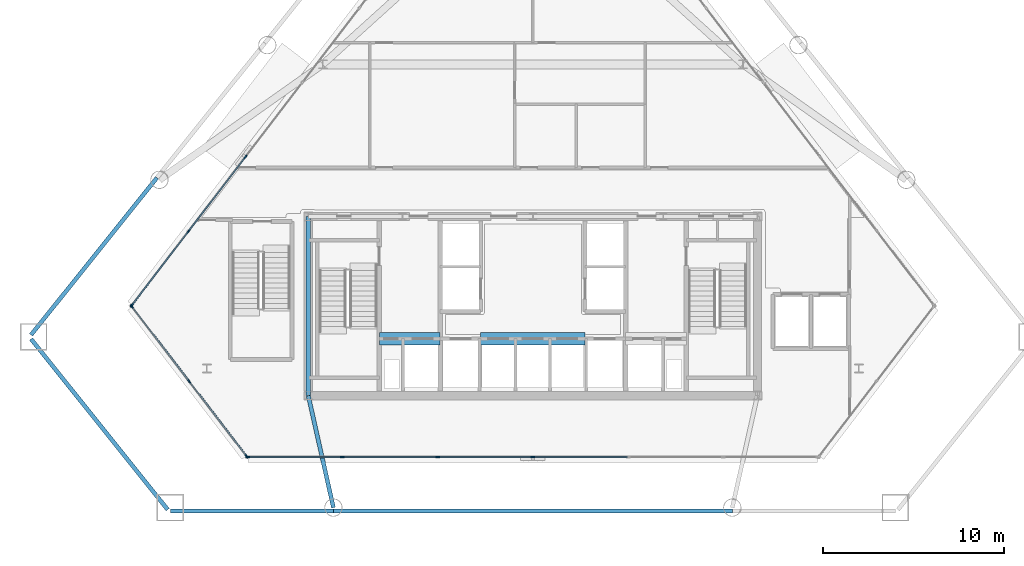
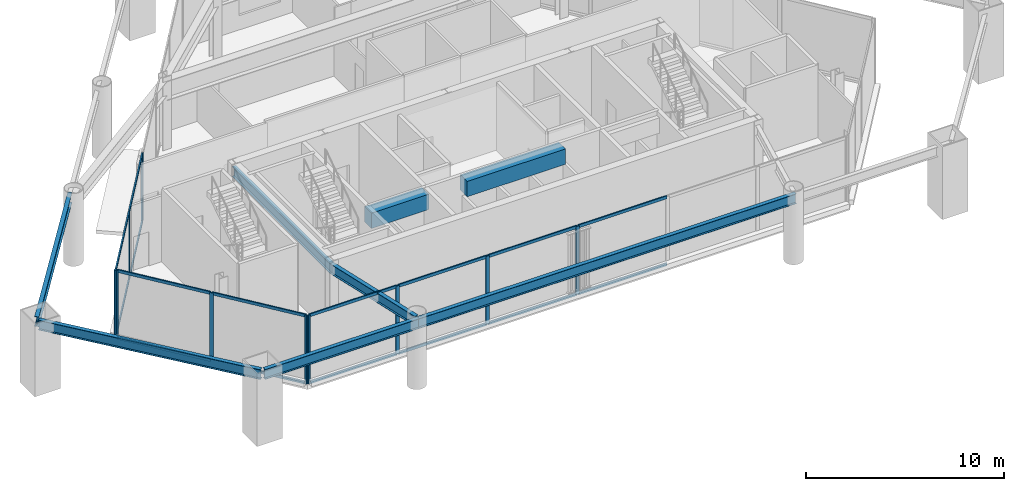
# One storey, part 3 of 11: 26 members, 8 beams, 3 elements without a shape of their own.
"""IFC4 building model written with IfcOpenShell, lengths in metres."""

from ifc_helpers import new_model, si_unit, direction, frame, origin, origin_2d, place, context, subcontext, project, spatial, rectangle, i_section, extrude, material, layer, layer_set, material_profile, profile_set, type_object, element, aggregate, save


model = new_model("IFC4")

# Units and contexts
model_context = context("Model", 3, precision=1e-05, world=origin(), true_north=direction((0.0, 1.0)))
body_context = subcontext(model_context, "Body", "Model", "MODEL_VIEW")
ifc_project = project(units=[si_unit("LENGTHUNIT", "METRE"), si_unit("AREAUNIT", "SQUARE_METRE"), si_unit("VOLUMEUNIT", "CUBIC_METRE"), si_unit("PLANEANGLEUNIT", "RADIAN"), si_unit("MASSUNIT", "GRAM", prefix="KILO")], contexts=[model_context])

# Site, building, storey
site_placement = place(None, origin())
site = spatial("IfcSite", under=ifc_project, at=site_placement, CompositionType="ELEMENT")
building_placement = place(site_placement, origin())
building = spatial("IfcBuilding", under=site, at=building_placement, Name="Talgorran Terracotta Tower", CompositionType="ELEMENT")
storey_placement = place(building_placement, frame((0.0, 0.0, 5.39990234375)))
storey = spatial("IfcBuildingStorey", under=building, at=storey_placement, Name="L01", CompositionType="ELEMENT", Elevation=5.39990234375)

# Beams
ifc_material_1 = material(Name="Concrete C65/80", Category="concrete")
ifc_material_profile_1 = material_profile(ifc_material_1, rectangle(XDim=0.699951171875, YDim=0.949951171875, at=origin_2d()), Name="RCCB700X950")
ifc_profile_set_1 = profile_set([ifc_material_profile_1], Name="Concrete C65/80")
beam_type_1 = type_object("IfcBeamType", Name="BM_CB_700X950", PredefinedType="LINTEL", material=ifc_profile_set_1)
beam_1_placement = place(storey_placement, frame((-8.47998046875, -10.949951171875, 3.7451171875), z_axis=(1.0, 0.0, 0.0), x_axis=(0.0, 1.0, 0.0)))
element("IfcBeam", 1, at=beam_1_placement, inside=storey, type_object=beam_type_1, Name="L01 Core Shear-Wall Coupling Beam CB1", PredefinedType="LINTEL", context=body_context, shape_type="SweptSolid", body=[
    extrude(rectangle(XDim=0.699951171875, YDim=0.949951171875, at=origin_2d()), origin(), (0.0, 0.0, 1.0), 3.35986328125),
])
beam_2_placement = place(storey_placement, frame((-2.8798828125, -10.949951171875, 3.7451171875), z_axis=(1.0, 0.0, 0.0), x_axis=(0.0, 1.0, 0.0)))
element("IfcBeam", 2, at=beam_2_placement, inside=storey, type_object=beam_type_1, Name="L01 Core Shear-Wall Coupling Beam CB2", PredefinedType="LINTEL", context=body_context, shape_type="SweptSolid", body=[
    extrude(rectangle(XDim=0.699951171875, YDim=0.949951171875, at=origin_2d()), origin(), (0.0, 0.0, 1.0), 5.759765625),
])
ifc_material_2 = material(Name="Steel S355 (300PLUS)", Category="steel")
ifc_material_profile_2 = material_profile(ifc_material_2, i_section(OverallWidth=0.22900390625, OverallDepth=0.611572265625, WebThickness=0.011962890625, FlangeThickness=0.01953125, at=origin_2d()), Name="610UB125")
ifc_profile_set_2 = profile_set([ifc_material_profile_2], Name="Steel S355 (300PLUS)")
beam_type_2 = type_object("IfcBeamType", Name="BM_SP_610UB125", PredefinedType="SPANDREL", material=ifc_profile_set_2)
beam_3_placement = place(storey_placement, frame((-27.710205078125, -10.968505859375, 3.914306640625), z_axis=(0.625116627788, -0.780531358539, 0.0), x_axis=(0.780531358539, 0.625116627788, 0.0)))
element("IfcBeam", 3, at=beam_3_placement, inside=storey, type_object=beam_type_2, Name="L01 Perimeter Spandrel Beam MC1-MC2", PredefinedType="SPANDREL", context=body_context, shape_type="SweptSolid", body=[
    extrude(i_section(OverallWidth=0.22900390625, OverallDepth=0.611572265625, WebThickness=0.011962890625, FlangeThickness=0.01953125, at=origin_2d()), origin(), (0.0, 0.0, 1.0), 12.073974609375),
])
beam_4_placement = place(storey_placement, frame((-20.022216796875, -20.4599609375, 3.914306640625), z_axis=(1.0, 0.0, 0.0), x_axis=(0.0, 1.0, 0.0)))
element("IfcBeam", 4, at=beam_4_placement, inside=storey, type_object=beam_type_2, Name="L01 Perimeter Spandrel Beam MC2-FC1", PredefinedType="SPANDREL", context=body_context, shape_type="SweptSolid", body=[
    extrude(i_section(OverallWidth=0.22900390625, OverallDepth=0.611572265625, WebThickness=0.011962890625, FlangeThickness=0.01953125, at=origin_2d()), origin(), (0.0, 0.0, 1.0), 9.010009765625),
])
beam_5_placement = place(storey_placement, frame((-11.01220703125, -20.4599609375, 3.914306640625), z_axis=(1.0, 0.0, 0.0), x_axis=(0.0, 1.0, 0.0)))
element("IfcBeam", 5, at=beam_5_placement, inside=storey, type_object=beam_type_2, Name="L01 Perimeter Spandrel Beam FC1-FC2", PredefinedType="SPANDREL", context=body_context, shape_type="SweptSolid", body=[
    extrude(i_section(OverallWidth=0.22900390625, OverallDepth=0.611572265625, WebThickness=0.011962890625, FlangeThickness=0.01953125, at=origin_2d()), origin(), (0.0, 0.0, 1.0), 22.0244140625),
])
beam_6_placement = place(storey_placement, frame((-20.7607421875, -2.06640625, 3.914306640625), z_axis=(-0.625126142132, -0.780523738539, 0.0), x_axis=(0.780523738539, -0.625126142132, 0.0)))
element("IfcBeam", 6, at=beam_6_placement, inside=storey, type_object=beam_type_2, Name="L01 Perimeter Spandrel Beam FC6-MC1", PredefinedType="SPANDREL", context=body_context, shape_type="SweptSolid", body=[
    extrude(i_section(OverallWidth=0.22900390625, OverallDepth=0.611572265625, WebThickness=0.011962890625, FlangeThickness=0.01953125, at=origin_2d()), origin(), (0.0, 0.0, 1.0), 11.116943359375),
])
beam_7_placement = place(storey_placement, frame((-11.01220703125, -20.280029296875, 3.914306640625), z_axis=(-0.219093011867, 0.975703977726, 0.0), x_axis=(-0.975703977726, -0.219093011867, 0.0)))
element("IfcBeam", 7, at=beam_7_placement, inside=storey, type_object=beam_type_2, Name="L01 South-West Core Tie Beam", PredefinedType="SPANDREL", context=body_context, shape_type="SweptSolid", body=[
    extrude(i_section(OverallWidth=0.22900390625, OverallDepth=0.611572265625, WebThickness=0.011962890625, FlangeThickness=0.01953125, at=origin_2d()), origin(), (0.0, 0.0, 1.0), 6.333740234375),
])
beam_8_placement = place(storey_placement, frame((-12.39990234375, -14.10009765625, 3.914306640625), z_axis=(0.0, 1.0, 0.0), x_axis=(-1.0, 0.0, 0.0)))
element("IfcBeam", 8, at=beam_8_placement, inside=storey, type_object=beam_type_2, Name="L01 Core Frame Beam CFW", PredefinedType="SPANDREL", context=body_context, shape_type="SweptSolid", body=[
    extrude(i_section(OverallWidth=0.22900390625, OverallDepth=0.611572265625, WebThickness=0.011962890625, FlangeThickness=0.01953125, at=origin_2d()), origin(), (0.0, 0.0, 1.0), 9.900146484375),
])

# Curtain wall, members
ifc_material_3 = material(Name="Terracotta and Low-E Glazing", Category="masonry")
ifc_layer = layer(ifc_material_3, 0.219970703125, Name="CW_SYS1_PODIUM")
ifc_layer_set = layer_set([ifc_layer], Name="Terracotta and Low-E Glazing")
curtain_wall_type = type_object("IfcCurtainWallType", Name="CW_SYS1_PODIUM", PredefinedType="NOTDEFINED", material=ifc_layer_set)
curtain_wall_1_placement = place(storey_placement, origin())
curtain_wall_1 = element("IfcCurtainWall", 9, at=curtain_wall_1_placement, inside=storey, type_object=curtain_wall_type, Name="CW-L01-F0", PredefinedType="NOTDEFINED")
ifc_material_4 = material(Name="Architectural Aluminium 6063-T6", Category="aluminium")
ifc_material_profile_3 = material_profile(ifc_material_4, rectangle(XDim=0.074951171875, YDim=0.219970703125, at=origin_2d()), Name="CWM75X220")
ifc_profile_set_3 = profile_set([ifc_material_profile_3], Name="Architectural Aluminium 6063-T6")
member_type_1 = type_object("IfcMemberType", Name="MUL_75X220", PredefinedType="MULLION", material=ifc_profile_set_3)
member_1_placement = place(storey_placement, frame((-22.14599609375, -9.169677734375, 0.0), z_axis=(0.0, 0.0, 1.0), x_axis=(0.793882056778, 0.608071772019, 0.0)))
member_1 = element("IfcMember", 10, at=member_1_placement, type_object=member_type_1, Name="CW-L01-0 mullion 1", PredefinedType="MULLION", context=body_context, shape_type="SweptSolid", body=[
    extrude(rectangle(XDim=0.074951171875, YDim=0.219970703125, at=origin_2d()), origin(), (0.0, 0.0, 1.0), 4.22021484375),
])
member_2_placement = place(storey_placement, frame((-18.974853515625, -13.31005859375, 0.0), z_axis=(0.0, 0.0, 1.0), x_axis=(0.793882056778, 0.608071772019, 0.0)))
member_2 = element("IfcMember", 11, at=member_2_placement, type_object=member_type_1, Name="CW-L01-0 mullion 2", PredefinedType="MULLION", context=body_context, shape_type="SweptSolid", body=[
    extrude(rectangle(XDim=0.074951171875, YDim=0.219970703125, at=origin_2d()), origin(), (0.0, 0.0, 1.0), 4.22021484375),
])
member_3_placement = place(storey_placement, frame((-15.8037109375, -17.4501953125, 0.0), z_axis=(0.0, 0.0, 1.0), x_axis=(0.793882056778, 0.608071772019, 0.0)))
member_3 = element("IfcMember", 12, at=member_3_placement, type_object=member_type_1, Name="CW-L01-0 mullion 3", PredefinedType="MULLION", context=body_context, shape_type="SweptSolid", body=[
    extrude(rectangle(XDim=0.074951171875, YDim=0.219970703125, at=origin_2d()), origin(), (0.0, 0.0, 1.0), 4.22021484375),
])

curtain_wall_2_placement = place(storey_placement, origin())
curtain_wall_2 = element("IfcCurtainWall", 13, at=curtain_wall_2_placement, inside=storey, type_object=curtain_wall_type, Name="CW-L01-F1", PredefinedType="NOTDEFINED")
member_4_placement = place(storey_placement, frame((-15.743408203125, -17.47998046875, 0.0), z_axis=(0.0, 0.0, 1.0), x_axis=(0.0, 1.0, 0.0)))
member_4 = element("IfcMember", 14, at=member_4_placement, type_object=member_type_1, Name="CW-L01-1 mullion 1", PredefinedType="MULLION", context=body_context, shape_type="SweptSolid", body=[
    extrude(rectangle(XDim=0.074951171875, YDim=0.219970703125, at=origin_2d()), origin(), (0.0, 0.0, 1.0), 4.22021484375),
])
member_5_placement = place(storey_placement, frame((-10.5205078125, -17.47998046875, 0.0), z_axis=(0.0, 0.0, 1.0), x_axis=(0.0, 1.0, 0.0)))
member_5 = element("IfcMember", 15, at=member_5_placement, type_object=member_type_1, Name="CW-L01-1 mullion 2", PredefinedType="MULLION", context=body_context, shape_type="SweptSolid", body=[
    extrude(rectangle(XDim=0.074951171875, YDim=0.219970703125, at=origin_2d()), origin(), (0.0, 0.0, 1.0), 4.22021484375),
])
member_6_placement = place(storey_placement, frame((-5.26025390625, -17.47998046875, 0.0), z_axis=(0.0, 0.0, 1.0), x_axis=(0.0, 1.0, 0.0)))
member_6 = element("IfcMember", 16, at=member_6_placement, type_object=member_type_1, Name="CW-L01-1 mullion 3", PredefinedType="MULLION", context=body_context, shape_type="SweptSolid", body=[
    extrude(rectangle(XDim=0.074951171875, YDim=0.219970703125, at=origin_2d()), origin(), (0.0, 0.0, 1.0), 4.22021484375),
])
member_7_placement = place(storey_placement, frame((0.0, -17.47998046875, 0.0), z_axis=(0.0, 0.0, 1.0), x_axis=(0.0, 1.0, 0.0)))
member_7 = element("IfcMember", 17, at=member_7_placement, type_object=member_type_1, Name="CW-L01-1 mullion 4", PredefinedType="MULLION", context=body_context, shape_type="SweptSolid", body=[
    extrude(rectangle(XDim=0.074951171875, YDim=0.219970703125, at=origin_2d()), origin(), (0.0, 0.0, 1.0), 4.22021484375),
])

curtain_wall_3_placement = place(storey_placement, origin())
curtain_wall_3 = element("IfcCurtainWall", 18, at=curtain_wall_3_placement, inside=storey, type_object=curtain_wall_type, Name="CW-L01-F5", PredefinedType="NOTDEFINED")
member_8_placement = place(storey_placement, frame((-15.86962890625, -0.916015625, 0.0), z_axis=(0.0, 0.0, 1.0), x_axis=(0.793879732377, -0.608074806682, 0.0)))
member_8 = element("IfcMember", 19, at=member_8_placement, type_object=member_type_1, Name="CW-L01-5 mullion 4", PredefinedType="MULLION", context=body_context, shape_type="SweptSolid", body=[
    extrude(rectangle(XDim=0.074951171875, YDim=0.219970703125, at=origin_2d()), origin(), (0.0, 0.0, 1.0), 4.22021484375),
])
member_9_placement = place(storey_placement, frame((-19.019287109375, -5.028076171875, 0.0), z_axis=(0.0, 0.0, 1.0), x_axis=(0.793879732377, -0.608074806682, 0.0)))
member_9 = element("IfcMember", 20, at=member_9_placement, type_object=member_type_1, Name="CW-L01-5 mullion 5", PredefinedType="MULLION", context=body_context, shape_type="SweptSolid", body=[
    extrude(rectangle(XDim=0.074951171875, YDim=0.219970703125, at=origin_2d()), origin(), (0.0, 0.0, 1.0), 4.22021484375),
])
member_10_placement = place(storey_placement, frame((-22.14599609375, -9.1103515625, 0.0), z_axis=(0.0, 0.0, 1.0), x_axis=(0.793879732377, -0.608074806682, 0.0)))
member_10 = element("IfcMember", 21, at=member_10_placement, type_object=member_type_1, Name="CW-L01-5 mullion 6", PredefinedType="MULLION", context=body_context, shape_type="SweptSolid", body=[
    extrude(rectangle(XDim=0.074951171875, YDim=0.219970703125, at=origin_2d()), origin(), (0.0, 0.0, 1.0), 4.22021484375),
])

# Member
ifc_material_profile_4 = material_profile(ifc_material_4, rectangle(XDim=0.074951171875, YDim=0.179931640625, at=origin_2d()), Name="CWT75X180")
ifc_profile_set_4 = profile_set([ifc_material_profile_4], Name="Architectural Aluminium 6063-T6")
member_type_2 = type_object("IfcMemberType", Name="TRN_75X180", PredefinedType="USERDEFINED", material=ifc_profile_set_4)
member_11_placement = place(storey_placement, frame((-22.123291015625, -9.199462890625, 0.03759765625), z_axis=(0.608077514667, -0.793877658179, 0.0), x_axis=(0.793877658179, 0.608077514667, 0.0)))
member_11 = element("IfcMember", 22, at=member_11_placement, type_object=member_type_2, Name="CW-L01-0 transom 1.1", ObjectType="TRANSOM", PredefinedType="USERDEFINED", context=body_context, shape_type="SweptSolid", body=[
    extrude(rectangle(XDim=0.074951171875, YDim=0.179931640625, at=origin_2d()), origin(), (0.0, 0.0, 1.0), 5.140380859375),
])

member_12_placement = place(storey_placement, frame((-22.123291015625, -9.199462890625, 4.1826171875), z_axis=(0.608077514667, -0.793877658179, 0.0), x_axis=(0.793877658179, 0.608077514667, 0.0)))
member_12 = element("IfcMember", 23, at=member_12_placement, type_object=member_type_2, Name="CW-L01-0 transom 1.2", ObjectType="TRANSOM", PredefinedType="USERDEFINED", context=body_context, shape_type="SweptSolid", body=[
    extrude(rectangle(XDim=0.074951171875, YDim=0.179931640625, at=origin_2d()), origin(), (0.0, 0.0, 1.0), 5.140380859375),
])

member_13_placement = place(storey_placement, frame((-18.951904296875, -13.33984375, 0.03759765625), z_axis=(0.608070508553, -0.793883024524, 0.0), x_axis=(0.793883024524, 0.608070508553, 0.0)))
member_13 = element("IfcMember", 24, at=member_13_placement, type_object=member_type_2, Name="CW-L01-0 transom 2.1", ObjectType="TRANSOM", PredefinedType="USERDEFINED", context=body_context, shape_type="SweptSolid", body=[
    extrude(rectangle(XDim=0.074951171875, YDim=0.179931640625, at=origin_2d()), origin(), (0.0, 0.0, 1.0), 5.139892578125),
])

member_14_placement = place(storey_placement, frame((-18.951904296875, -13.33984375, 4.1826171875), z_axis=(0.608070508553, -0.793883024524, 0.0), x_axis=(0.793883024524, 0.608070508553, 0.0)))
member_14 = element("IfcMember", 25, at=member_14_placement, type_object=member_type_2, Name="CW-L01-0 transom 2.2", ObjectType="TRANSOM", PredefinedType="USERDEFINED", context=body_context, shape_type="SweptSolid", body=[
    extrude(rectangle(XDim=0.074951171875, YDim=0.179931640625, at=origin_2d()), origin(), (0.0, 0.0, 1.0), 5.139892578125),
])

aggregate(curtain_wall_1, [member_1, member_2, member_3, member_11, member_12, member_13, member_14])

member_15_placement = place(storey_placement, frame((-15.705810546875, -17.47998046875, 0.03759765625), z_axis=(1.0, 0.0, 0.0), x_axis=(0.0, 1.0, 0.0)))
member_15 = element("IfcMember", 26, at=member_15_placement, type_object=member_type_2, Name="CW-L01-1 transom 1.1", ObjectType="TRANSOM", PredefinedType="USERDEFINED", context=body_context, shape_type="SweptSolid", body=[
    extrude(rectangle(XDim=0.074951171875, YDim=0.179931640625, at=origin_2d()), origin(), (0.0, 0.0, 1.0), 5.147705078125),
])

member_16_placement = place(storey_placement, frame((-15.705810546875, -17.47998046875, 4.1826171875), z_axis=(1.0, 0.0, 0.0), x_axis=(0.0, 1.0, 0.0)))
member_16 = element("IfcMember", 27, at=member_16_placement, type_object=member_type_2, Name="CW-L01-1 transom 1.2", ObjectType="TRANSOM", PredefinedType="USERDEFINED", context=body_context, shape_type="SweptSolid", body=[
    extrude(rectangle(XDim=0.074951171875, YDim=0.179931640625, at=origin_2d()), origin(), (0.0, 0.0, 1.0), 5.147705078125),
])

member_17_placement = place(storey_placement, frame((-10.483154296875, -17.47998046875, 0.03759765625), z_axis=(1.0, 0.0, 0.0), x_axis=(0.0, 1.0, 0.0)))
member_17 = element("IfcMember", 28, at=member_17_placement, type_object=member_type_2, Name="CW-L01-1 transom 2.1", ObjectType="TRANSOM", PredefinedType="USERDEFINED", context=body_context, shape_type="SweptSolid", body=[
    extrude(rectangle(XDim=0.074951171875, YDim=0.179931640625, at=origin_2d()), origin(), (0.0, 0.0, 1.0), 5.185302734375),
])

member_18_placement = place(storey_placement, frame((-10.483154296875, -17.47998046875, 4.1826171875), z_axis=(1.0, 0.0, 0.0), x_axis=(0.0, 1.0, 0.0)))
member_18 = element("IfcMember", 29, at=member_18_placement, type_object=member_type_2, Name="CW-L01-1 transom 2.2", ObjectType="TRANSOM", PredefinedType="USERDEFINED", context=body_context, shape_type="SweptSolid", body=[
    extrude(rectangle(XDim=0.074951171875, YDim=0.179931640625, at=origin_2d()), origin(), (0.0, 0.0, 1.0), 5.185302734375),
])

member_19_placement = place(storey_placement, frame((-5.22265625, -17.47998046875, 0.03759765625), z_axis=(1.0, 0.0, 0.0), x_axis=(0.0, 1.0, 0.0)))
member_19 = element("IfcMember", 30, at=member_19_placement, type_object=member_type_2, Name="CW-L01-1 transom 3.1", ObjectType="TRANSOM", PredefinedType="USERDEFINED", context=body_context, shape_type="SweptSolid", body=[
    extrude(rectangle(XDim=0.074951171875, YDim=0.179931640625, at=origin_2d()), origin(), (0.0, 0.0, 1.0), 5.18505859375),
])

member_20_placement = place(storey_placement, frame((-5.22265625, -17.47998046875, 4.1826171875), z_axis=(1.0, 0.0, 0.0), x_axis=(0.0, 1.0, 0.0)))
member_20 = element("IfcMember", 31, at=member_20_placement, type_object=member_type_2, Name="CW-L01-1 transom 3.2", ObjectType="TRANSOM", PredefinedType="USERDEFINED", context=body_context, shape_type="SweptSolid", body=[
    extrude(rectangle(XDim=0.074951171875, YDim=0.179931640625, at=origin_2d()), origin(), (0.0, 0.0, 1.0), 5.18505859375),
])

member_21_placement = place(storey_placement, frame((0.03759765625, -17.47998046875, 0.03759765625), z_axis=(1.0, 0.0, 0.0), x_axis=(0.0, 1.0, 0.0)))
member_21 = element("IfcMember", 32, at=member_21_placement, type_object=member_type_2, Name="CW-L01-1 transom 4.1", ObjectType="TRANSOM", PredefinedType="USERDEFINED", context=body_context, shape_type="SweptSolid", body=[
    extrude(rectangle(XDim=0.074951171875, YDim=0.179931640625, at=origin_2d()), origin(), (0.0, 0.0, 1.0), 5.18505859375),
])

member_22_placement = place(storey_placement, frame((0.03759765625, -17.47998046875, 4.1826171875), z_axis=(1.0, 0.0, 0.0), x_axis=(0.0, 1.0, 0.0)))
member_22 = element("IfcMember", 33, at=member_22_placement, type_object=member_type_2, Name="CW-L01-1 transom 4.2", ObjectType="TRANSOM", PredefinedType="USERDEFINED", context=body_context, shape_type="SweptSolid", body=[
    extrude(rectangle(XDim=0.074951171875, YDim=0.179931640625, at=origin_2d()), origin(), (0.0, 0.0, 1.0), 5.18505859375),
])

aggregate(curtain_wall_2, [member_4, member_5, member_6, member_7, member_15, member_16, member_17, member_18, member_19, member_20, member_21, member_22])

member_23_placement = place(storey_placement, frame((-15.892333984375, -0.94580078125, 0.03759765625), z_axis=(-0.608073029785, -0.793881093394, 0.0), x_axis=(0.793881093394, -0.608073029785, 0.0)))
member_23 = element("IfcMember", 34, at=member_23_placement, type_object=member_type_2, Name="CW-L01-5 transom 4.1", ObjectType="TRANSOM", PredefinedType="USERDEFINED", context=body_context, shape_type="SweptSolid", body=[
    extrude(rectangle(XDim=0.074951171875, YDim=0.179931640625, at=origin_2d()), origin(), (0.0, 0.0, 1.0), 5.104736328125),
])

member_24_placement = place(storey_placement, frame((-15.892333984375, -0.94580078125, 4.1826171875), z_axis=(-0.608073029785, -0.793881093394, 0.0), x_axis=(0.793881093394, -0.608073029785, 0.0)))
member_24 = element("IfcMember", 35, at=member_24_placement, type_object=member_type_2, Name="CW-L01-5 transom 4.2", ObjectType="TRANSOM", PredefinedType="USERDEFINED", context=body_context, shape_type="SweptSolid", body=[
    extrude(rectangle(XDim=0.074951171875, YDim=0.179931640625, at=origin_2d()), origin(), (0.0, 0.0, 1.0), 5.104736328125),
])

member_25_placement = place(storey_placement, frame((-19.0419921875, -5.057861328125, 0.03759765625), z_axis=(-0.608086568836, -0.793870722978, 0.0), x_axis=(0.793870722978, -0.608086568836, 0.0)))
member_25 = element("IfcMember", 36, at=member_25_placement, type_object=member_type_2, Name="CW-L01-5 transom 5.1", ObjectType="TRANSOM", PredefinedType="USERDEFINED", context=body_context, shape_type="SweptSolid", body=[
    extrude(rectangle(XDim=0.074951171875, YDim=0.179931640625, at=origin_2d()), origin(), (0.0, 0.0, 1.0), 5.067138671875),
])

member_26_placement = place(storey_placement, frame((-19.0419921875, -5.057861328125, 4.1826171875), z_axis=(-0.608086568836, -0.793870722978, 0.0), x_axis=(0.793870722978, -0.608086568836, 0.0)))
member_26 = element("IfcMember", 37, at=member_26_placement, type_object=member_type_2, Name="CW-L01-5 transom 5.2", ObjectType="TRANSOM", PredefinedType="USERDEFINED", context=body_context, shape_type="SweptSolid", body=[
    extrude(rectangle(XDim=0.074951171875, YDim=0.179931640625, at=origin_2d()), origin(), (0.0, 0.0, 1.0), 5.067138671875),
])

aggregate(curtain_wall_3, [member_8, member_9, member_10, member_23, member_24, member_25, member_26])

save(model, "model.ifc")
